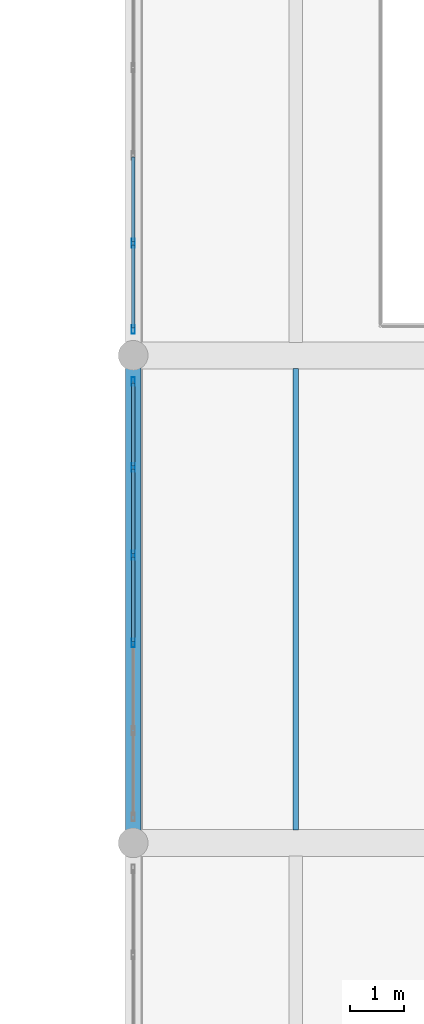
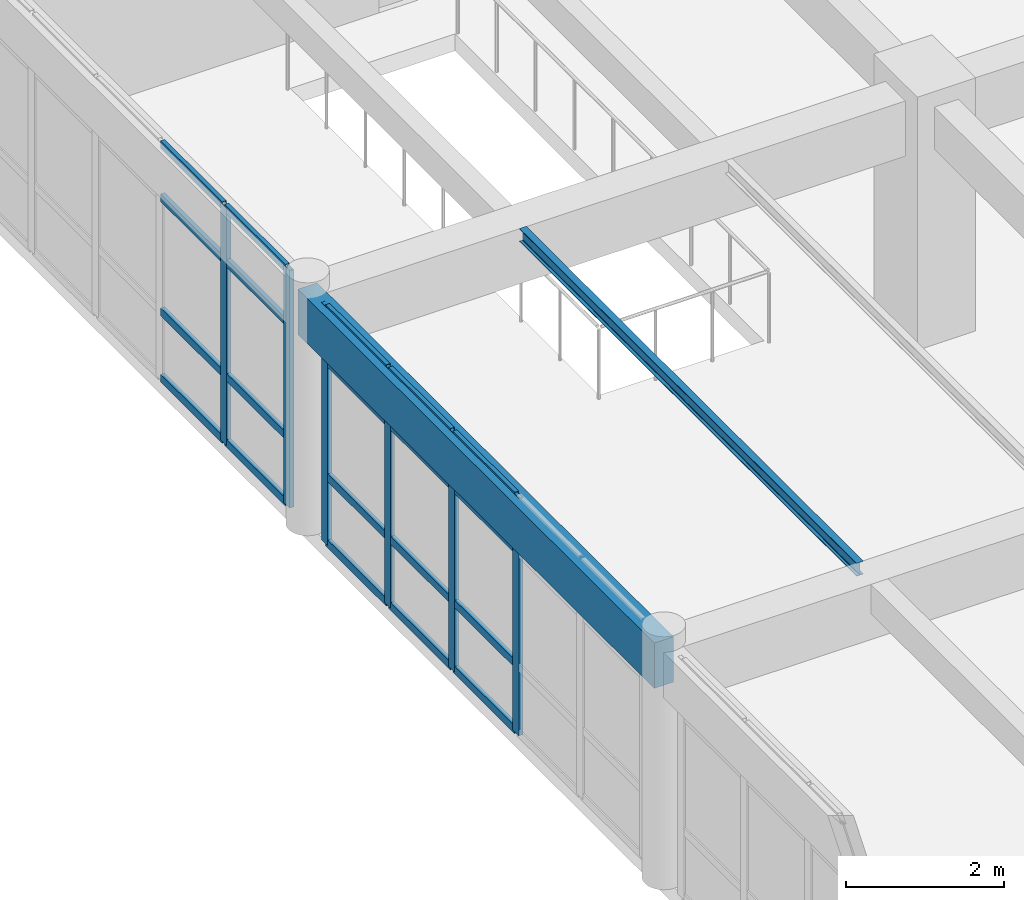
# One storey, part 36 of 156: 26 members, 2 beams, 2 elements without a shape of their own.
"""IFC4 building model written with IfcOpenShell, lengths in metres."""

from ifc_helpers import new_model, si_unit, direction, frame, origin, origin_2d, place, context, subcontext, project, spatial, rectangle, hollow_rectangle, i_section, extrude, material, layer, layer_set, material_profile, profile_set, type_object, element, aggregate, save


model = new_model("IFC4")

# Units and contexts
model_context = context("Model", 3, precision=1e-05, world=origin(), true_north=direction((0.0, 1.0)))
body_context = subcontext(model_context, "Body", "Model", "MODEL_VIEW")
ifc_project = project(units=[si_unit("LENGTHUNIT", "METRE"), si_unit("AREAUNIT", "SQUARE_METRE"), si_unit("VOLUMEUNIT", "CUBIC_METRE"), si_unit("PLANEANGLEUNIT", "RADIAN"), si_unit("MASSUNIT", "GRAM", prefix="KILO")], contexts=[model_context])

# Site, building, storey
site_placement = place(None, origin())
site = spatial("IfcSite", under=ifc_project, at=site_placement, CompositionType="ELEMENT")
building_placement = place(site_placement, origin())
building = spatial("IfcBuilding", under=site, at=building_placement, Name="Ornek Quay Market", CompositionType="ELEMENT")
storey_placement = place(building_placement, frame((0.0, 0.0, 4.5)))
storey = spatial("IfcBuildingStorey", under=building, at=storey_placement, Name="L01", CompositionType="ELEMENT", Elevation=4.5)

# Beams
ifc_material_1 = material(Name="Concrete C35/45", Category="concrete")
ifc_material_profile_1 = material_profile(ifc_material_1, rectangle(XDim=0.280029296875, YDim=0.699951171875, at=origin_2d()), Name="RC 280x700", Category="concrete")
ifc_profile_set_1 = profile_set([ifc_material_profile_1], Name="Concrete C35/45")
beam_type_1 = type_object("IfcBeamType", Name="BM-SPN-280x700", PredefinedType="SPANDREL", material=ifc_profile_set_1)
beam_1_placement = place(storey_placement, frame((108.0, 38.0, 3.31005859375), z_axis=(0.0, 1.0, 0.0), x_axis=(-1.0, 0.0, 0.0)))
element("IfcBeam", 1, at=beam_1_placement, inside=storey, type_object=beam_type_1, Name="Primary beam B-SP2-074", PredefinedType="SPANDREL", context=body_context, shape_type="SweptSolid", body=[
    extrude(rectangle(XDim=0.280029296875, YDim=0.699951171875, at=origin_2d()), origin(), (0.0, 0.0, 1.0), 9.0),
])
ifc_material_2 = material(Name="Steel S355", Category="steel")
ifc_material_profile_2 = material_profile(ifc_material_2, i_section(OverallWidth=0.10009765625, OverallDepth=0.199951171875, WebThickness=0.005615234375, FlangeThickness=0.008544921875, FilletRadius=0.011962890625, at=origin_2d()), Name="IPE 200", Category="steel")
ifc_profile_set_2 = profile_set([ifc_material_profile_2], Name="Steel S355")
beam_type_2 = type_object("IfcBeamType", Name="BM-STL-IPE200", PredefinedType="JOIST", material=ifc_profile_set_2)
beam_2_placement = place(storey_placement, frame((111.0, 38.241943359375, 3.56005859375), z_axis=(0.0, 1.0, 0.0), x_axis=(-1.0, 0.0, 0.0)))
element("IfcBeam", 2, at=beam_2_placement, inside=storey, type_object=beam_type_2, Name="Secondary joist SB-02-027", PredefinedType="JOIST", context=body_context, shape_type="SweptSolid", body=[
    extrude(i_section(OverallWidth=0.10009765625, OverallDepth=0.199951171875, WebThickness=0.005615234375, FlangeThickness=0.008544921875, FilletRadius=0.011962890625, at=origin_2d()), origin(), (0.0, 0.0, 1.0), 8.51611328125),
])

# Curtain wall, members
ifc_material_3 = material(Name="Anodised bronze aluminium and triple low-e glass", Category="aluminium")
ifc_layer = layer(ifc_material_3, 0.139892578125, Name="Anodised bronze aluminium and triple low-e glass", Category="aluminium")
ifc_layer_set = layer_set([ifc_layer], Name="Anodised bronze aluminium and triple low-e glass")
curtain_wall_type = type_object("IfcCurtainWallType", Name="CW-GALLERY-INT", PredefinedType="USERDEFINED", material=ifc_layer_set)
curtain_wall_1_placement = place(storey_placement, origin())
curtain_wall_1 = element("IfcCurtainWall", 3, at=curtain_wall_1_placement, inside=storey, type_object=curtain_wall_type, Name="Curtain wall CW-104", ObjectType="CURTAIN WALL", PredefinedType="USERDEFINED")
ifc_material_4 = material(Name="Anodised aluminium 6063-T6", Category="aluminium")
ifc_material_profile_3 = material_profile(ifc_material_4, hollow_rectangle(XDim=0.06005859375, YDim=0.159912109375, WallThickness=0.00390625, at=origin_2d()), Name="CW-MUL-60x160", Category="aluminium")
ifc_profile_set_3 = profile_set([ifc_material_profile_3], Name="Anodised aluminium 6063-T6")
member_type_1 = type_object("IfcMemberType", Name="CW-MUL-60x160", PredefinedType="MULLION", material=ifc_profile_set_3)
member_1_placement = place(storey_placement, frame((108.0, 41.68994140625, 0.0), z_axis=(0.0, 0.0, 1.0), x_axis=(-1.0, 0.0, 0.0)))
member_1 = element("IfcMember", 4, at=member_1_placement, type_object=member_type_1, Name="CW-104 mullion 3", PredefinedType="MULLION", context=body_context, shape_type="SweptSolid", body=[
    extrude(hollow_rectangle(XDim=0.06005859375, YDim=0.159912109375, WallThickness=0.00390625, at=origin_2d()), origin(), (0.0, 0.0, 1.0), 3.659912109375),
])
member_2_placement = place(storey_placement, frame((108.0, 43.31005859375, 0.0), z_axis=(0.0, 0.0, 1.0), x_axis=(-1.0, 0.0, 0.0)))
member_2 = element("IfcMember", 5, at=member_2_placement, type_object=member_type_1, Name="CW-104 mullion 4", PredefinedType="MULLION", context=body_context, shape_type="SweptSolid", body=[
    extrude(hollow_rectangle(XDim=0.06005859375, YDim=0.159912109375, WallThickness=0.00390625, at=origin_2d()), origin(), (0.0, 0.0, 1.0), 3.659912109375),
])
member_3_placement = place(storey_placement, frame((108.0, 44.929931640625, 0.0), z_axis=(0.0, 0.0, 1.0), x_axis=(-1.0, 0.0, 0.0)))
member_3 = element("IfcMember", 6, at=member_3_placement, type_object=member_type_1, Name="CW-104 mullion 5", PredefinedType="MULLION", context=body_context, shape_type="SweptSolid", body=[
    extrude(hollow_rectangle(XDim=0.06005859375, YDim=0.159912109375, WallThickness=0.00390625, at=origin_2d()), origin(), (0.0, 0.0, 1.0), 3.659912109375),
])
member_4_placement = place(storey_placement, frame((108.0, 46.52001953125, 0.0), z_axis=(0.0, 0.0, 1.0), x_axis=(-1.0, 0.0, 0.0)))
member_4 = element("IfcMember", 7, at=member_4_placement, type_object=member_type_1, Name="CW-104 mullion 6", PredefinedType="MULLION", context=body_context, shape_type="SweptSolid", body=[
    extrude(hollow_rectangle(XDim=0.06005859375, YDim=0.159912109375, WallThickness=0.00390625, at=origin_2d()), origin(), (0.0, 0.0, 1.0), 3.659912109375),
])

curtain_wall_2_placement = place(storey_placement, origin())
curtain_wall_2 = element("IfcCurtainWall", 8, at=curtain_wall_2_placement, inside=storey, type_object=curtain_wall_type, Name="Curtain wall CW-105", ObjectType="CURTAIN WALL", PredefinedType="USERDEFINED")
member_5_placement = place(storey_placement, frame((108.0, 47.47998046875, 0.0), z_axis=(0.0, 0.0, 1.0), x_axis=(-1.0, 0.0, 0.0)))
member_5 = element("IfcMember", 9, at=member_5_placement, type_object=member_type_1, Name="CW-105 mullion 1", PredefinedType="MULLION", context=body_context, shape_type="SweptSolid", body=[
    extrude(hollow_rectangle(XDim=0.06005859375, YDim=0.159912109375, WallThickness=0.00390625, at=origin_2d()), origin(), (0.0, 0.0, 1.0), 3.659912109375),
])
member_6_placement = place(storey_placement, frame((108.0, 49.070068359375, 0.0), z_axis=(0.0, 0.0, 1.0), x_axis=(-1.0, 0.0, 0.0)))
member_6 = element("IfcMember", 10, at=member_6_placement, type_object=member_type_1, Name="CW-105 mullion 2", PredefinedType="MULLION", context=body_context, shape_type="SweptSolid", body=[
    extrude(hollow_rectangle(XDim=0.06005859375, YDim=0.159912109375, WallThickness=0.00390625, at=origin_2d()), origin(), (0.0, 0.0, 1.0), 3.659912109375),
])

# Member
ifc_material_profile_4 = material_profile(ifc_material_4, hollow_rectangle(XDim=0.06005859375, YDim=0.1201171875, WallThickness=0.00390625, at=origin_2d()), Name="CW-TRN-60x120", Category="aluminium")
ifc_profile_set_4 = profile_set([ifc_material_profile_4], Name="Anodised aluminium 6063-T6")
member_type_2 = type_object("IfcMemberType", Name="CW-TRN-60x120", PredefinedType="USERDEFINED", material=ifc_profile_set_4)
member_7_placement = place(storey_placement, frame((108.0, 41.719970703125, 0.030029296875), z_axis=(0.0, 1.0, 0.0), x_axis=(-1.0, 0.0, 0.0)))
member_7 = element("IfcMember", 11, at=member_7_placement, type_object=member_type_2, Name="CW-104 transom 3.1", ObjectType="TRANSOM", PredefinedType="USERDEFINED", context=body_context, shape_type="SweptSolid", body=[
    extrude(hollow_rectangle(XDim=0.06005859375, YDim=0.1201171875, WallThickness=0.00390625, at=origin_2d()), origin(), (0.0, 0.0, 1.0), 1.56005859375),
])

member_8_placement = place(storey_placement, frame((108.0, 41.719970703125, 1.050048828125), z_axis=(0.0, 1.0, 0.0), x_axis=(-1.0, 0.0, 0.0)))
member_8 = element("IfcMember", 12, at=member_8_placement, type_object=member_type_2, Name="CW-104 transom 3.2", ObjectType="TRANSOM", PredefinedType="USERDEFINED", context=body_context, shape_type="SweptSolid", body=[
    extrude(hollow_rectangle(XDim=0.06005859375, YDim=0.1201171875, WallThickness=0.00390625, at=origin_2d()), origin(), (0.0, 0.0, 1.0), 1.56005859375),
])

member_9_placement = place(storey_placement, frame((108.0, 41.719970703125, 2.81005859375), z_axis=(0.0, 1.0, 0.0), x_axis=(-1.0, 0.0, 0.0)))
member_9 = element("IfcMember", 13, at=member_9_placement, type_object=member_type_2, Name="CW-104 transom 3.3", ObjectType="TRANSOM", PredefinedType="USERDEFINED", context=body_context, shape_type="SweptSolid", body=[
    extrude(hollow_rectangle(XDim=0.06005859375, YDim=0.1201171875, WallThickness=0.00390625, at=origin_2d()), origin(), (0.0, 0.0, 1.0), 1.56005859375),
])

member_10_placement = place(storey_placement, frame((108.0, 41.719970703125, 3.6298828125), z_axis=(0.0, 1.0, 0.0), x_axis=(-1.0, 0.0, 0.0)))
member_10 = element("IfcMember", 14, at=member_10_placement, type_object=member_type_2, Name="CW-104 transom 3.4", ObjectType="TRANSOM", PredefinedType="USERDEFINED", context=body_context, shape_type="SweptSolid", body=[
    extrude(hollow_rectangle(XDim=0.06005859375, YDim=0.1201171875, WallThickness=0.00390625, at=origin_2d()), origin(), (0.0, 0.0, 1.0), 1.56005859375),
])

member_11_placement = place(storey_placement, frame((108.0, 43.340087890625, 0.030029296875), z_axis=(0.0, 1.0, 0.0), x_axis=(-1.0, 0.0, 0.0)))
member_11 = element("IfcMember", 15, at=member_11_placement, type_object=member_type_2, Name="CW-104 transom 4.1", ObjectType="TRANSOM", PredefinedType="USERDEFINED", context=body_context, shape_type="SweptSolid", body=[
    extrude(hollow_rectangle(XDim=0.06005859375, YDim=0.1201171875, WallThickness=0.00390625, at=origin_2d()), origin(), (0.0, 0.0, 1.0), 1.559814453125),
])

member_12_placement = place(storey_placement, frame((108.0, 43.340087890625, 1.050048828125), z_axis=(0.0, 1.0, 0.0), x_axis=(-1.0, 0.0, 0.0)))
member_12 = element("IfcMember", 16, at=member_12_placement, type_object=member_type_2, Name="CW-104 transom 4.2", ObjectType="TRANSOM", PredefinedType="USERDEFINED", context=body_context, shape_type="SweptSolid", body=[
    extrude(hollow_rectangle(XDim=0.06005859375, YDim=0.1201171875, WallThickness=0.00390625, at=origin_2d()), origin(), (0.0, 0.0, 1.0), 1.559814453125),
])

member_13_placement = place(storey_placement, frame((108.0, 43.340087890625, 2.81005859375), z_axis=(0.0, 1.0, 0.0), x_axis=(-1.0, 0.0, 0.0)))
member_13 = element("IfcMember", 17, at=member_13_placement, type_object=member_type_2, Name="CW-104 transom 4.3", ObjectType="TRANSOM", PredefinedType="USERDEFINED", context=body_context, shape_type="SweptSolid", body=[
    extrude(hollow_rectangle(XDim=0.06005859375, YDim=0.1201171875, WallThickness=0.00390625, at=origin_2d()), origin(), (0.0, 0.0, 1.0), 1.559814453125),
])

member_14_placement = place(storey_placement, frame((108.0, 43.340087890625, 3.6298828125), z_axis=(0.0, 1.0, 0.0), x_axis=(-1.0, 0.0, 0.0)))
member_14 = element("IfcMember", 18, at=member_14_placement, type_object=member_type_2, Name="CW-104 transom 4.4", ObjectType="TRANSOM", PredefinedType="USERDEFINED", context=body_context, shape_type="SweptSolid", body=[
    extrude(hollow_rectangle(XDim=0.06005859375, YDim=0.1201171875, WallThickness=0.00390625, at=origin_2d()), origin(), (0.0, 0.0, 1.0), 1.559814453125),
])

member_15_placement = place(storey_placement, frame((108.0, 44.9599609375, 0.030029296875), z_axis=(0.0, 1.0, 0.0), x_axis=(-1.0, 0.0, 0.0)))
member_15 = element("IfcMember", 19, at=member_15_placement, type_object=member_type_2, Name="CW-104 transom 5.1", ObjectType="TRANSOM", PredefinedType="USERDEFINED", context=body_context, shape_type="SweptSolid", body=[
    extrude(hollow_rectangle(XDim=0.06005859375, YDim=0.1201171875, WallThickness=0.00390625, at=origin_2d()), origin(), (0.0, 0.0, 1.0), 1.530029296875),
])

member_16_placement = place(storey_placement, frame((108.0, 44.9599609375, 1.050048828125), z_axis=(0.0, 1.0, 0.0), x_axis=(-1.0, 0.0, 0.0)))
member_16 = element("IfcMember", 20, at=member_16_placement, type_object=member_type_2, Name="CW-104 transom 5.2", ObjectType="TRANSOM", PredefinedType="USERDEFINED", context=body_context, shape_type="SweptSolid", body=[
    extrude(hollow_rectangle(XDim=0.06005859375, YDim=0.1201171875, WallThickness=0.00390625, at=origin_2d()), origin(), (0.0, 0.0, 1.0), 1.530029296875),
])

member_17_placement = place(storey_placement, frame((108.0, 44.9599609375, 2.81005859375), z_axis=(0.0, 1.0, 0.0), x_axis=(-1.0, 0.0, 0.0)))
member_17 = element("IfcMember", 21, at=member_17_placement, type_object=member_type_2, Name="CW-104 transom 5.3", ObjectType="TRANSOM", PredefinedType="USERDEFINED", context=body_context, shape_type="SweptSolid", body=[
    extrude(hollow_rectangle(XDim=0.06005859375, YDim=0.1201171875, WallThickness=0.00390625, at=origin_2d()), origin(), (0.0, 0.0, 1.0), 1.530029296875),
])

member_18_placement = place(storey_placement, frame((108.0, 44.9599609375, 3.6298828125), z_axis=(0.0, 1.0, 0.0), x_axis=(-1.0, 0.0, 0.0)))
member_18 = element("IfcMember", 22, at=member_18_placement, type_object=member_type_2, Name="CW-104 transom 5.4", ObjectType="TRANSOM", PredefinedType="USERDEFINED", context=body_context, shape_type="SweptSolid", body=[
    extrude(hollow_rectangle(XDim=0.06005859375, YDim=0.1201171875, WallThickness=0.00390625, at=origin_2d()), origin(), (0.0, 0.0, 1.0), 1.530029296875),
])

aggregate(curtain_wall_1, [member_1, member_2, member_3, member_4, member_7, member_8, member_9, member_10, member_11, member_12, member_13, member_14, member_15, member_16, member_17, member_18])

member_19_placement = place(storey_placement, frame((108.0, 47.510009765625, 0.030029296875), z_axis=(0.0, 1.0, 0.0), x_axis=(-1.0, 0.0, 0.0)))
member_19 = element("IfcMember", 23, at=member_19_placement, type_object=member_type_2, Name="CW-105 transom 1.1", ObjectType="TRANSOM", PredefinedType="USERDEFINED", context=body_context, shape_type="SweptSolid", body=[
    extrude(hollow_rectangle(XDim=0.06005859375, YDim=0.1201171875, WallThickness=0.00390625, at=origin_2d()), origin(), (0.0, 0.0, 1.0), 1.530029296875),
])

member_20_placement = place(storey_placement, frame((108.0, 47.510009765625, 1.050048828125), z_axis=(0.0, 1.0, 0.0), x_axis=(-1.0, 0.0, 0.0)))
member_20 = element("IfcMember", 24, at=member_20_placement, type_object=member_type_2, Name="CW-105 transom 1.2", ObjectType="TRANSOM", PredefinedType="USERDEFINED", context=body_context, shape_type="SweptSolid", body=[
    extrude(hollow_rectangle(XDim=0.06005859375, YDim=0.1201171875, WallThickness=0.00390625, at=origin_2d()), origin(), (0.0, 0.0, 1.0), 1.530029296875),
])

member_21_placement = place(storey_placement, frame((108.0, 47.510009765625, 2.81005859375), z_axis=(0.0, 1.0, 0.0), x_axis=(-1.0, 0.0, 0.0)))
member_21 = element("IfcMember", 25, at=member_21_placement, type_object=member_type_2, Name="CW-105 transom 1.3", ObjectType="TRANSOM", PredefinedType="USERDEFINED", context=body_context, shape_type="SweptSolid", body=[
    extrude(hollow_rectangle(XDim=0.06005859375, YDim=0.1201171875, WallThickness=0.00390625, at=origin_2d()), origin(), (0.0, 0.0, 1.0), 1.530029296875),
])

member_22_placement = place(storey_placement, frame((108.0, 47.510009765625, 3.6298828125), z_axis=(0.0, 1.0, 0.0), x_axis=(-1.0, 0.0, 0.0)))
member_22 = element("IfcMember", 26, at=member_22_placement, type_object=member_type_2, Name="CW-105 transom 1.4", ObjectType="TRANSOM", PredefinedType="USERDEFINED", context=body_context, shape_type="SweptSolid", body=[
    extrude(hollow_rectangle(XDim=0.06005859375, YDim=0.1201171875, WallThickness=0.00390625, at=origin_2d()), origin(), (0.0, 0.0, 1.0), 1.530029296875),
])

member_23_placement = place(storey_placement, frame((108.0, 49.10009765625, 0.030029296875), z_axis=(0.0, 1.0, 0.0), x_axis=(-1.0, 0.0, 0.0)))
member_23 = element("IfcMember", 27, at=member_23_placement, type_object=member_type_2, Name="CW-105 transom 2.1", ObjectType="TRANSOM", PredefinedType="USERDEFINED", context=body_context, shape_type="SweptSolid", body=[
    extrude(hollow_rectangle(XDim=0.06005859375, YDim=0.1201171875, WallThickness=0.00390625, at=origin_2d()), origin(), (0.0, 0.0, 1.0), 1.559814453125),
])

member_24_placement = place(storey_placement, frame((108.0, 49.10009765625, 1.050048828125), z_axis=(0.0, 1.0, 0.0), x_axis=(-1.0, 0.0, 0.0)))
member_24 = element("IfcMember", 28, at=member_24_placement, type_object=member_type_2, Name="CW-105 transom 2.2", ObjectType="TRANSOM", PredefinedType="USERDEFINED", context=body_context, shape_type="SweptSolid", body=[
    extrude(hollow_rectangle(XDim=0.06005859375, YDim=0.1201171875, WallThickness=0.00390625, at=origin_2d()), origin(), (0.0, 0.0, 1.0), 1.559814453125),
])

member_25_placement = place(storey_placement, frame((108.0, 49.10009765625, 2.81005859375), z_axis=(0.0, 1.0, 0.0), x_axis=(-1.0, 0.0, 0.0)))
member_25 = element("IfcMember", 29, at=member_25_placement, type_object=member_type_2, Name="CW-105 transom 2.3", ObjectType="TRANSOM", PredefinedType="USERDEFINED", context=body_context, shape_type="SweptSolid", body=[
    extrude(hollow_rectangle(XDim=0.06005859375, YDim=0.1201171875, WallThickness=0.00390625, at=origin_2d()), origin(), (0.0, 0.0, 1.0), 1.559814453125),
])

member_26_placement = place(storey_placement, frame((108.0, 49.10009765625, 3.6298828125), z_axis=(0.0, 1.0, 0.0), x_axis=(-1.0, 0.0, 0.0)))
member_26 = element("IfcMember", 30, at=member_26_placement, type_object=member_type_2, Name="CW-105 transom 2.4", ObjectType="TRANSOM", PredefinedType="USERDEFINED", context=body_context, shape_type="SweptSolid", body=[
    extrude(hollow_rectangle(XDim=0.06005859375, YDim=0.1201171875, WallThickness=0.00390625, at=origin_2d()), origin(), (0.0, 0.0, 1.0), 1.559814453125),
])

aggregate(curtain_wall_2, [member_5, member_6, member_19, member_20, member_21, member_22, member_23, member_24, member_25, member_26])

save(model, "model.ifc")
